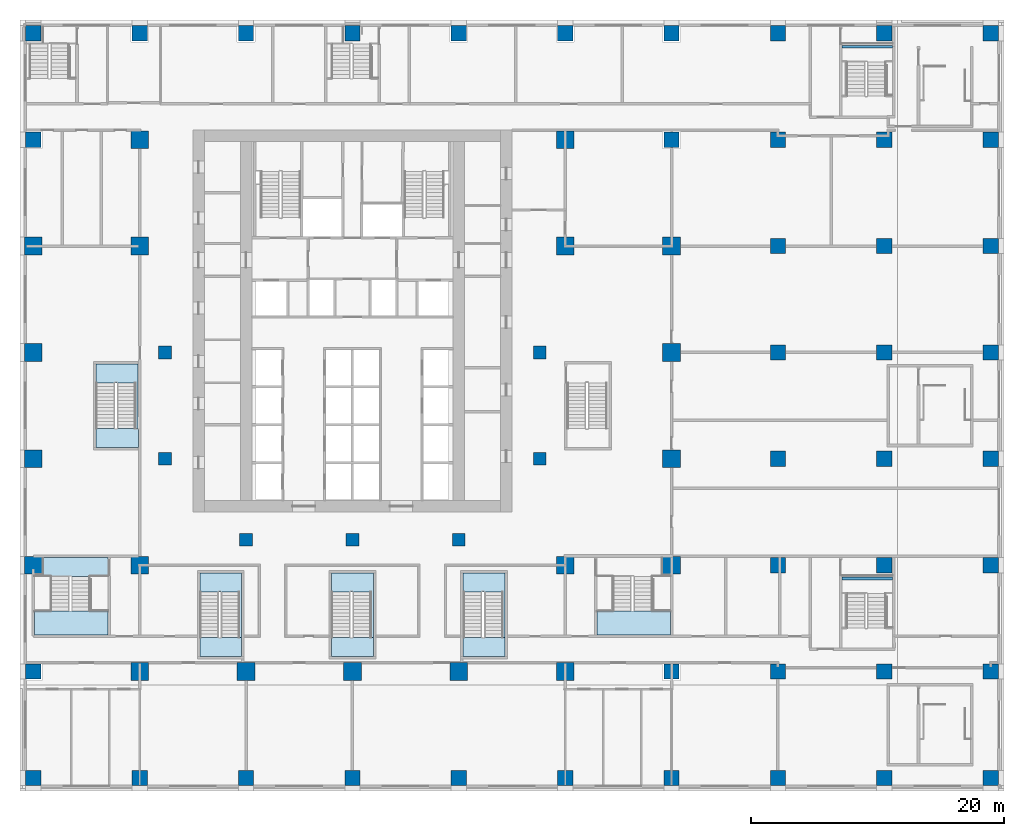
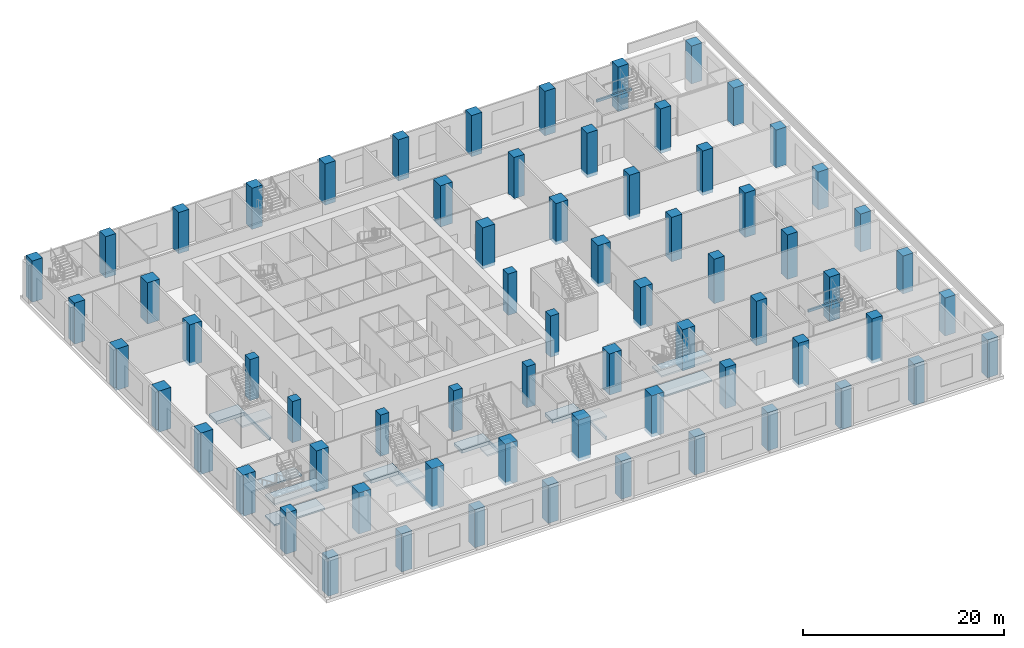
# One storey, part 1 of 23: 68 columns, 13 slabs, 2 beams, 6 elements without a shape of their own.
"""IFC4 building model written with IfcOpenShell, lengths in metres."""

import ifcopenshell
import ifcopenshell.guid

model = None  # the IFC model being written
_history = None  # IfcOwnerHistory: only IFC2X3 demands one
_inside = {}  # id of a spatial element -> (the spatial element, [elements in it])
_under = {}  # id of a project, library or spatial element -> (it, [spatial elements below it])
_declared = {}  # id of a project -> (the project, [libraries it declares])
_typed = {}  # id of a type object -> (the type object, [elements of that type])
_made_of = {}  # id of a material, layer set ... -> (it, [elements and type objects made of it])


def new_model(schema):
    """Start an empty IFC model of exactly this schema.

    Asked for "IFC4X3", IfcOpenShell would pick the latest addendum, in which some entities
    have other attributes; the version numbers below select the first issue.
    IFC2X3 requires an IfcOwnerHistory on every rooted entity: one is made here for all.
    """
    global model, _history
    if schema == "IFC4X3":
        model = ifcopenshell.file(schema_version=(4, 3, 0, 0))
    else:
        model = ifcopenshell.file(schema=schema)
    _inside.clear()
    _under.clear()
    _declared.clear()
    _typed.clear()
    _made_of.clear()
    _history = None
    if model.schema == "IFC2X3":
        org = make("IfcOrganization", Name="unknown")
        user = make(
            "IfcPersonAndOrganization",
            ThePerson=make("IfcPerson", FamilyName="unknown"),
            TheOrganization=org,
        )
        app = make(
            "IfcApplication",
            ApplicationDeveloper=org,
            Version="unknown",
            ApplicationFullName="unknown",
            ApplicationIdentifier="unknown",
        )
        _history = make(
            "IfcOwnerHistory",
            OwningUser=user,
            OwningApplication=app,
            ChangeAction="ADDED",
            CreationDate=0,
        )
    return model


def make(cls, **values):
    """One entity of the class cls with the attributes given. An attribute that is None is left unset."""
    return model.create_entity(
        cls, **{name: value for name, value in values.items() if value is not None}
    )


def rooted(cls, **values):
    """An entity with a GlobalId (a new one), such as an element, a storey or a relation."""
    return make(cls, GlobalId=ifcopenshell.guid.new(), OwnerHistory=_history, **values)


def si_unit(unit_type, name, prefix=None):
    """IfcSIUnit, for example si_unit("LENGTHUNIT", "METRE", prefix="MILLI")."""
    return make("IfcSIUnit", UnitType=unit_type, Prefix=prefix, Name=name)


def assignment(units):
    """IfcUnitAssignment: the units of a project."""
    return None if units is None else make("IfcUnitAssignment", Units=units)


def point(xyz):
    """IfcCartesianPoint."""
    return None if xyz is None else make("IfcCartesianPoint", Coordinates=xyz)


def direction(xyz):
    """IfcDirection."""
    return None if xyz is None else make("IfcDirection", DirectionRatios=xyz)


def frame(location, z_axis=None, x_axis=None):
    """IfcAxis2Placement3D, a coordinate frame: its origin and axes. An axis left out is left unset."""
    return make(
        "IfcAxis2Placement3D",
        Location=point(location),
        Axis=direction(z_axis),
        RefDirection=direction(x_axis),
    )


def frame_2d(location, x_axis=None):
    """IfcAxis2Placement2D, a coordinate frame in the plane: its origin and x axis."""
    return make(
        "IfcAxis2Placement2D", Location=point(location), RefDirection=direction(x_axis)
    )


def origin():
    """The frame at (0, 0, 0) with its axes left unset."""
    return frame((0.0, 0.0, 0.0))


def origin_2d():
    """The frame at (0, 0) in the plane with its x axis left unset."""
    return frame_2d((0.0, 0.0))


def place(relative_to, where):
    """IfcLocalPlacement: puts the frame where relative to a parent placement (None: the world)."""
    return make(
        "IfcLocalPlacement", PlacementRelTo=relative_to, RelativePlacement=where
    )


def context(
    kind, dimensions, precision=None, world=None, true_north=None, identifier=None
):
    """IfcGeometricRepresentationContext, for example the 3D "Model" context."""
    return make(
        "IfcGeometricRepresentationContext",
        ContextIdentifier=identifier,
        ContextType=kind,
        CoordinateSpaceDimension=dimensions,
        Precision=precision,
        WorldCoordinateSystem=world,
        TrueNorth=true_north,
    )


def subcontext(parent, identifier, kind, view, scale=None):
    """IfcGeometricRepresentationSubContext, for example "Body" below "Model"."""
    return make(
        "IfcGeometricRepresentationSubContext",
        ContextIdentifier=identifier,
        ContextType=kind,
        ParentContext=parent,
        TargetScale=scale,
        TargetView=view,
    )


def project(units=None, contexts=None):
    """IfcProject with its units and contexts."""
    return rooted(
        "IfcProject",
        Name="project",
        RepresentationContexts=contexts,
        UnitsInContext=assignment(units),
    )


def spatial(cls, under=None, at=None, **own):
    """A site, building, storey or space (cls), placed at a placement, below another one or the project."""
    s = rooted(cls, ObjectPlacement=at, **own)
    if under is not None:
        _under.setdefault(under.id(), (under, []))[1].append(s)
    return s


def polyline(points):
    """IfcPolyline through the points."""
    return make("IfcPolyline", Points=[point(p) for p in points])


def profile(cls, at=None, kind="AREA", **sizes):
    """A parametric profile (cls). Its sizes go by their IFC names, for example OverallWidth=200.0."""
    return make(cls, ProfileType=kind, Position=at, **sizes)


def rectangle(**sizes):
    """IfcRectangleProfileDef."""
    return profile("IfcRectangleProfileDef", **sizes)


def outline(outer, holes=None, kind="AREA"):
    """IfcArbitraryClosedProfileDef: a profile drawn as a closed curve; with holes, ...WithVoids."""
    if holes is None:
        return make("IfcArbitraryClosedProfileDef", ProfileType=kind, OuterCurve=outer)
    return make(
        "IfcArbitraryProfileDefWithVoids",
        ProfileType=kind,
        OuterCurve=outer,
        InnerCurves=holes,
    )


def extrude(swept, where, along, depth):
    """IfcExtrudedAreaSolid: the profile swept, set in the frame where, extruded along a direction by depth."""
    return make(
        "IfcExtrudedAreaSolid",
        SweptArea=swept,
        Position=where,
        ExtrudedDirection=direction(along),
        Depth=depth,
    )


def shape(context_of_items, identifier, shape_type, items):
    """IfcShapeRepresentation: the items that make up one representation, for example the "Body"."""
    return make(
        "IfcShapeRepresentation",
        ContextOfItems=context_of_items,
        RepresentationIdentifier=identifier,
        RepresentationType=shape_type,
        Items=items,
    )


def material(Name=None, Category=None):
    """IfcMaterial."""
    return make("IfcMaterial", Name=Name, Category=Category)


def layer(
    of_material, thickness, ventilated=None, Name=None, Category=None, Priority=None
):
    """IfcMaterialLayer: one layer of a wall or slab, of a material (None: an air gap)."""
    return make(
        "IfcMaterialLayer",
        Material=of_material,
        LayerThickness=thickness,
        IsVentilated=ventilated,
        Name=Name,
        Category=Category,
        Priority=Priority,
    )


def layer_set(layers, Name=None):
    """IfcMaterialLayerSet."""
    return make("IfcMaterialLayerSet", MaterialLayers=layers, LayerSetName=Name)


def material_profile(
    of_material, cross_section, Name=None, Category=None, Priority=None
):
    """IfcMaterialProfile: a cross section and its material."""
    return make(
        "IfcMaterialProfile",
        Name=Name,
        Material=of_material,
        Profile=cross_section,
        Priority=Priority,
        Category=Category,
    )


def profile_set(profiles, Name=None, composite=None):
    """IfcMaterialProfileSet."""
    return make(
        "IfcMaterialProfileSet",
        Name=Name,
        MaterialProfiles=profiles,
        CompositeProfile=composite,
    )


def made_of(thing, what):
    """Note that an element or type object is made of a material, layer set ...; save() writes the relation."""
    if what is not None:
        _made_of.setdefault(what.id(), (what, []))[1].append(thing)
    return thing


def type_object(cls, material=None, **own):
    """A type object (cls), such as IfcWallType, which elements share."""
    return made_of(rooted(cls, **own), material)


def element(
    cls,
    number,
    at=None,
    inside=None,
    cuts=None,
    type_object=None,
    material=None,
    context=None,
    identifier="Body",
    shape_type=None,
    held_by="IfcProductDefinitionShape",
    body=None,
    shapes=None,
    **own,
):
    """One element of the class cls, such as IfcWall. Its Tag is "e" and its number.

    at: its placement. inside: the storey or other place that contains it. cuts: it is an
    opening in that element (IfcRelVoidsElement). A single representation is given by context,
    identifier, shape_type and body (its items); several are given by shapes. held_by: the class
    of the entity that holds the representations. save() writes the other relations.
    """
    e = rooted(cls, Tag="e%d" % number, ObjectPlacement=at, **own)
    if body is not None:
        shapes = [shape(context, identifier, shape_type, body)]
    if shapes is not None:
        e.Representation = make(held_by, Representations=shapes)
    if inside is not None:
        _inside.setdefault(inside.id(), (inside, []))[1].append(e)
    if cuts is not None:
        rooted(
            "IfcRelVoidsElement", RelatingBuildingElement=cuts, RelatedOpeningElement=e
        )
    if type_object is not None:
        _typed.setdefault(type_object.id(), (type_object, []))[1].append(e)
    return made_of(e, material)


def aggregate(whole, parts):
    """IfcRelAggregates: a whole, such as a stair, and the parts it consists of."""
    return rooted("IfcRelAggregates", RelatingObject=whole, RelatedObjects=parts)


def save(model, path):
    """Write the relations noted so far, then the file.

    IfcRelAggregates (storeys below a building ...), IfcRelContainedInSpatialStructure (elements
    in a storey), IfcRelDefinesByType, IfcRelAssociatesMaterial and IfcRelDeclares: one each for
    every whole, place, type object, material and project.
    """
    for whole, parts in _under.values():
        aggregate(whole, parts)
    for where, things in _inside.values():
        rooted(
            "IfcRelContainedInSpatialStructure",
            RelatedElements=things,
            RelatingStructure=where,
        )
    for kind, things in _typed.values():
        rooted("IfcRelDefinesByType", RelatedObjects=things, RelatingType=kind)
    for what, things in _made_of.values():
        rooted("IfcRelAssociatesMaterial", RelatedObjects=things, RelatingMaterial=what)
    for by, libraries in _declared.values():
        rooted("IfcRelDeclares", RelatingContext=by, RelatedDefinitions=libraries)
    model.write(path)


model = new_model("IFC4")

# Units and contexts
model_context = context("Model", 3, precision=1e-05, world=origin(), true_north=direction((0.0, 1.0)))
body_context = subcontext(model_context, "Body", "Model", "MODEL_VIEW")
ifc_project = project(units=[si_unit("LENGTHUNIT", "METRE"), si_unit("AREAUNIT", "SQUARE_METRE"), si_unit("VOLUMEUNIT", "CUBIC_METRE"), si_unit("PLANEANGLEUNIT", "RADIAN"), si_unit("MASSUNIT", "GRAM", prefix="KILO")], contexts=[model_context])

# Site, building, storey
site_placement = place(None, origin())
site = spatial("IfcSite", under=ifc_project, at=site_placement, CompositionType="ELEMENT")
building_placement = place(site_placement, origin())
building = spatial("IfcBuilding", under=site, at=building_placement, Name="Vermilion Ogive Tower", CompositionType="ELEMENT")
storey_placement = place(building_placement, frame((0.0, 0.0, 20.0)))
storey = spatial("IfcBuildingStorey", under=building, at=storey_placement, Name="L03", CompositionType="ELEMENT", Elevation=20.0)

# Columns
ifc_material_1 = material(Name="Concrete B80", Category="concrete")
ifc_material_profile_1 = material_profile(ifc_material_1, rectangle(XDim=1.39990234375, YDim=1.39990234375, at=origin_2d()), Name="1400 x 1400")
ifc_profile_set_1 = profile_set([ifc_material_profile_1], Name="Concrete B80")
column_type_1 = type_object("IfcColumnType", Name="Perimeter column 1400 x 1400 B80", PredefinedType="COLUMN", material=ifc_profile_set_1)
for number, where, z_axis, x_axis, name in (
    (1, (-16.800048828125, -21.0, -0.39990234375), (0.0, 0.0, 1.0), (1.0, 0.0, 0.0), "COL-L03-P-0168-210"),
    (2, (-8.39990234375, -21.0, -0.39990234375), (0.0, 0.0, 1.0), (1.0, 0.0, 0.0), "COL-L03-P-0084-210"),
    (3, (0.0, -21.0, -0.39990234375), (0.0, 0.0, 1.0), (1.0, 0.0, 0.0), "COL-L03-P+0000-210"),
    (4, (8.39990234375, -21.0, -0.39990234375), (0.0, 0.0, 1.0), (1.0, 0.0, 0.0), "COL-L03-P+0084-210"),
    (5, (16.800048828125, -21.0, -0.39990234375), (0.0, 0.0, 1.0), (1.0, 0.0, 0.0), "COL-L03-P+0168-210"),
    (6, (-25.199951171875, -12.60009765625, -0.39990234375), (0.0, 0.0, 1.0), (1.0, 0.0, 0.0), "COL-L03-P-0252-126"),
    (7, (-16.800048828125, -12.60009765625, -0.39990234375), (0.0, 0.0, 1.0), (1.0, 0.0, 0.0), "COL-L03-P-0168-126"),
    (8, (16.800048828125, -12.60009765625, -0.39990234375), (0.0, 0.0, 1.0), (1.0, 0.0, 0.0), "COL-L03-P+0168-126"),
    (9, (25.199951171875, -12.60009765625, -0.39990234375), (0.0, 0.0, 1.0), (1.0, 0.0, 0.0), "COL-L03-P+0252-126"),
    (10, (-25.199951171875, -4.199951171875, -0.39990234375), (0.0, 0.0, 1.0), (1.0, 0.0, 0.0), "COL-L03-P-0252-042"),
    (11, (25.199951171875, -4.199951171875, -0.39990234375), (0.0, 0.0, 1.0), (1.0, 0.0, 0.0), "COL-L03-P+0252-042"),
    (12, (-25.199951171875, 4.199951171875, -0.39990234375), (0.0, 0.0, 1.0), (1.0, 0.0, 0.0), "COL-L03-P-0252+042"),
    (13, (25.199951171875, 4.199951171875, -0.39990234375), (0.0, 0.0, 1.0), (1.0, 0.0, 0.0), "COL-L03-P+0252+042"),
    (14, (-25.199951171875, 12.60009765625, -0.39990234375), (0.0, 0.0, 1.0), (1.0, 0.0, 0.0), "COL-L03-P-0252+126"),
    (15, (-16.800048828125, 12.60009765625, -0.39990234375), (0.0, 0.0, 1.0), (1.0, 0.0, 0.0), "COL-L03-P-0168+126"),
    (16, (16.800048828125, 12.60009765625, -0.39990234375), (0.0, 0.0, 1.0), (1.0, 0.0, 0.0), "COL-L03-P+0168+126"),
    (17, (25.199951171875, 12.60009765625, -0.39990234375), (0.0, 0.0, 1.0), (1.0, 0.0, 0.0), "COL-L03-P+0252+126"),
    (18, (-16.800048828125, 21.0, -0.39990234375), (0.0, 0.0, 1.0), (1.0, 0.0, 0.0), "COL-L03-P-0168+210"),
    (19, (16.800048828125, 21.0, -0.39990234375), (0.0, 0.0, 1.0), (1.0, 0.0, 0.0), "COL-L03-P+0168+210"),
):
    element("IfcColumn", number, at=place(storey_placement, frame(where, z_axis=z_axis, x_axis=x_axis)), inside=storey, type_object=column_type_1, Name=name, PredefinedType="COLUMN", context=body_context, shape_type="SweptSolid", body=[
        extrude(rectangle(XDim=1.39990234375, YDim=1.39990234375, at=origin_2d()), origin(), (0.0, 0.0, 1.0), 5.0),
    ])
ifc_material_2 = material(Name="Concrete B60", Category="concrete")
ifc_material_profile_2 = material_profile(ifc_material_2, rectangle(XDim=1.199951171875, YDim=1.199951171875, at=origin_2d()), Name="RC 1200x1200")
ifc_profile_set_2 = profile_set([ifc_material_profile_2], Name="Concrete B60")
column_type_2 = type_object("IfcColumnType", Name="Podium column RC 1200", PredefinedType="COLUMN", material=ifc_profile_set_2)
for number, where, z_axis, x_axis, name in (
    (20, (-25.199951171875, -29.39990234375, 0.0), (0.0, 0.0, 1.0), (1.0, 0.0, 0.0), "Column 1.2 L03"),
    (21, (-16.800048828125, -29.39990234375, 0.0), (0.0, 0.0, 1.0), (1.0, 0.0, 0.0), "Column 1.2 L03"),
    (22, (-8.39990234375, -29.39990234375, 0.0), (0.0, 0.0, 1.0), (1.0, 0.0, 0.0), "Column 1.2 L03"),
    (23, (0.0, -29.39990234375, 0.0), (0.0, 0.0, 1.0), (1.0, 0.0, 0.0), "Column 1.2 L03"),
    (24, (8.39990234375, -29.39990234375, 0.0), (0.0, 0.0, 1.0), (1.0, 0.0, 0.0), "Column 1.2 L03"),
    (25, (16.800048828125, -29.39990234375, 0.0), (0.0, 0.0, 1.0), (1.0, 0.0, 0.0), "Column 1.2 L03"),
    (26, (25.199951171875, -29.39990234375, 0.0), (0.0, 0.0, 1.0), (1.0, 0.0, 0.0), "Column 1.2 L03"),
):
    element("IfcColumn", number, at=place(storey_placement, frame(where, z_axis=z_axis, x_axis=x_axis)), inside=storey, type_object=column_type_2, Name=name, PredefinedType="COLUMN", context=body_context, shape_type="SweptSolid", body=[
        extrude(rectangle(XDim=1.199951171875, YDim=1.199951171875, at=origin_2d()), origin(), (0.0, 0.0, 1.0), 4.60009765625),
    ])
for number, where, z_axis, x_axis, name in (
    (27, (33.60009765625, -29.39990234375, -0.39990234375), (0.0, 0.0, 1.0), (1.0, 0.0, 0.0), "Column 1.2 L03"),
    (28, (42.0, -29.39990234375, -0.39990234375), (0.0, 0.0, 1.0), (1.0, 0.0, 0.0), "Column 1.2 L03"),
):
    element("IfcColumn", number, at=place(storey_placement, frame(where, z_axis=z_axis, x_axis=x_axis)), inside=storey, type_object=column_type_2, Name=name, PredefinedType="COLUMN", context=body_context, shape_type="SweptSolid", body=[
        extrude(rectangle(XDim=1.199951171875, YDim=1.199951171875, at=origin_2d()), origin(), (0.0, 0.0, 1.0), 5.0),
    ])
column_1_placement = place(storey_placement, frame((50.39990234375, -29.39990234375, 0.0), z_axis=(0.0, 0.0, 1.0), x_axis=(1.0, 0.0, 0.0)))
element("IfcColumn", 29, at=column_1_placement, inside=storey, type_object=column_type_2, Name="Column 1.2 L03", PredefinedType="COLUMN", context=body_context, shape_type="SweptSolid", body=[
    extrude(rectangle(XDim=1.199951171875, YDim=1.199951171875, at=origin_2d()), origin(), (0.0, 0.0, 1.0), 4.60009765625),
])
for number, where, z_axis, x_axis, name in (
    (30, (-25.199951171875, -21.0, 0.0), (0.0, 0.0, 1.0), (1.0, 0.0, 0.0), "Column 1.2 L03"),
    (31, (25.199951171875, -21.0, 0.0), (0.0, 0.0, 1.0), (1.0, 0.0, 0.0), "Column 1.2 L03"),
):
    element("IfcColumn", number, at=place(storey_placement, frame(where, z_axis=z_axis, x_axis=x_axis)), inside=storey, type_object=column_type_2, Name=name, PredefinedType="COLUMN", context=body_context, shape_type="SweptSolid", body=[
        extrude(rectangle(XDim=1.199951171875, YDim=1.199951171875, at=origin_2d()), origin(), (0.0, 0.0, 1.0), 5.0),
    ])
for number, where, z_axis, x_axis, name in (
    (32, (33.60009765625, -21.0, -0.39990234375), (0.0, 0.0, 1.0), (1.0, 0.0, 0.0), "Column 1.2 L03"),
    (33, (42.0, -21.0, -0.39990234375), (0.0, 0.0, 1.0), (1.0, 0.0, 0.0), "Column 1.2 L03"),
):
    element("IfcColumn", number, at=place(storey_placement, frame(where, z_axis=z_axis, x_axis=x_axis)), inside=storey, type_object=column_type_2, Name=name, PredefinedType="COLUMN", context=body_context, shape_type="SweptSolid", body=[
        extrude(rectangle(XDim=1.199951171875, YDim=1.199951171875, at=origin_2d()), origin(), (0.0, 0.0, 1.0), 5.39990234375),
    ])
column_2_placement = place(storey_placement, frame((50.39990234375, -21.0, 0.0), z_axis=(0.0, 0.0, 1.0), x_axis=(1.0, 0.0, 0.0)))
element("IfcColumn", 34, at=column_2_placement, inside=storey, type_object=column_type_2, Name="Column 1.2 L03", PredefinedType="COLUMN", context=body_context, shape_type="SweptSolid", body=[
    extrude(rectangle(XDim=1.199951171875, YDim=1.199951171875, at=origin_2d()), origin(), (0.0, 0.0, 1.0), 4.60009765625),
])
for number, where, z_axis, x_axis, name in (
    (35, (33.60009765625, -12.60009765625, -0.39990234375), (0.0, 0.0, 1.0), (1.0, 0.0, 0.0), "Column 1.2 L03"),
    (36, (42.0, -12.60009765625, -0.39990234375), (0.0, 0.0, 1.0), (1.0, 0.0, 0.0), "Column 1.2 L03"),
):
    element("IfcColumn", number, at=place(storey_placement, frame(where, z_axis=z_axis, x_axis=x_axis)), inside=storey, type_object=column_type_2, Name=name, PredefinedType="COLUMN", context=body_context, shape_type="SweptSolid", body=[
        extrude(rectangle(XDim=1.199951171875, YDim=1.199951171875, at=origin_2d()), origin(), (0.0, 0.0, 1.0), 5.39990234375),
    ])
column_3_placement = place(storey_placement, frame((50.39990234375, -12.60009765625, 0.0), z_axis=(0.0, 0.0, 1.0), x_axis=(1.0, 0.0, 0.0)))
element("IfcColumn", 37, at=column_3_placement, inside=storey, type_object=column_type_2, Name="Column 1.2 L03", PredefinedType="COLUMN", context=body_context, shape_type="SweptSolid", body=[
    extrude(rectangle(XDim=1.199951171875, YDim=1.199951171875, at=origin_2d()), origin(), (0.0, 0.0, 1.0), 4.60009765625),
])
for number, where, z_axis, x_axis, name in (
    (38, (33.60009765625, -4.199951171875, -0.39990234375), (0.0, 0.0, 1.0), (1.0, 0.0, 0.0), "Column 1.2 L03"),
    (39, (42.0, -4.199951171875, -0.39990234375), (0.0, 0.0, 1.0), (1.0, 0.0, 0.0), "Column 1.2 L03"),
):
    element("IfcColumn", number, at=place(storey_placement, frame(where, z_axis=z_axis, x_axis=x_axis)), inside=storey, type_object=column_type_2, Name=name, PredefinedType="COLUMN", context=body_context, shape_type="SweptSolid", body=[
        extrude(rectangle(XDim=1.199951171875, YDim=1.199951171875, at=origin_2d()), origin(), (0.0, 0.0, 1.0), 5.39990234375),
    ])
column_4_placement = place(storey_placement, frame((50.39990234375, -4.199951171875, 0.0), z_axis=(0.0, 0.0, 1.0), x_axis=(1.0, 0.0, 0.0)))
element("IfcColumn", 40, at=column_4_placement, inside=storey, type_object=column_type_2, Name="Column 1.2 L03", PredefinedType="COLUMN", context=body_context, shape_type="SweptSolid", body=[
    extrude(rectangle(XDim=1.199951171875, YDim=1.199951171875, at=origin_2d()), origin(), (0.0, 0.0, 1.0), 4.60009765625),
])
for number, where, z_axis, x_axis, name in (
    (41, (33.60009765625, 4.199951171875, -0.39990234375), (0.0, 0.0, 1.0), (1.0, 0.0, 0.0), "Column 1.2 L03"),
    (42, (42.0, 4.199951171875, -0.39990234375), (0.0, 0.0, 1.0), (1.0, 0.0, 0.0), "Column 1.2 L03"),
):
    element("IfcColumn", number, at=place(storey_placement, frame(where, z_axis=z_axis, x_axis=x_axis)), inside=storey, type_object=column_type_2, Name=name, PredefinedType="COLUMN", context=body_context, shape_type="SweptSolid", body=[
        extrude(rectangle(XDim=1.199951171875, YDim=1.199951171875, at=origin_2d()), origin(), (0.0, 0.0, 1.0), 5.39990234375),
    ])
column_5_placement = place(storey_placement, frame((50.39990234375, 4.199951171875, 0.0), z_axis=(0.0, 0.0, 1.0), x_axis=(1.0, 0.0, 0.0)))
element("IfcColumn", 43, at=column_5_placement, inside=storey, type_object=column_type_2, Name="Column 1.2 L03", PredefinedType="COLUMN", context=body_context, shape_type="SweptSolid", body=[
    extrude(rectangle(XDim=1.199951171875, YDim=1.199951171875, at=origin_2d()), origin(), (0.0, 0.0, 1.0), 4.60009765625),
])
for number, where, z_axis, x_axis, name in (
    (44, (33.60009765625, 12.60009765625, -0.39990234375), (0.0, 0.0, 1.0), (1.0, 0.0, 0.0), "Column 1.2 L03"),
    (45, (42.0, 12.60009765625, -0.39990234375), (0.0, 0.0, 1.0), (1.0, 0.0, 0.0), "Column 1.2 L03"),
):
    element("IfcColumn", number, at=place(storey_placement, frame(where, z_axis=z_axis, x_axis=x_axis)), inside=storey, type_object=column_type_2, Name=name, PredefinedType="COLUMN", context=body_context, shape_type="SweptSolid", body=[
        extrude(rectangle(XDim=1.199951171875, YDim=1.199951171875, at=origin_2d()), origin(), (0.0, 0.0, 1.0), 5.39990234375),
    ])
column_6_placement = place(storey_placement, frame((50.39990234375, 12.60009765625, 0.0), z_axis=(0.0, 0.0, 1.0), x_axis=(1.0, 0.0, 0.0)))
element("IfcColumn", 46, at=column_6_placement, inside=storey, type_object=column_type_2, Name="Column 1.2 L03", PredefinedType="COLUMN", context=body_context, shape_type="SweptSolid", body=[
    extrude(rectangle(XDim=1.199951171875, YDim=1.199951171875, at=origin_2d()), origin(), (0.0, 0.0, 1.0), 4.60009765625),
])
for number, where, z_axis, x_axis, name in (
    (47, (-25.199951171875, 21.0, 0.0), (0.0, 0.0, 1.0), (1.0, 0.0, 0.0), "Column 1.2 L03"),
    (48, (25.199951171875, 21.0, 0.0), (0.0, 0.0, 1.0), (1.0, 0.0, 0.0), "Column 1.2 L03"),
):
    element("IfcColumn", number, at=place(storey_placement, frame(where, z_axis=z_axis, x_axis=x_axis)), inside=storey, type_object=column_type_2, Name=name, PredefinedType="COLUMN", context=body_context, shape_type="SweptSolid", body=[
        extrude(rectangle(XDim=1.199951171875, YDim=1.199951171875, at=origin_2d()), origin(), (0.0, 0.0, 1.0), 5.0),
    ])
for number, where, z_axis, x_axis, name in (
    (49, (33.60009765625, 21.0, -0.39990234375), (0.0, 0.0, 1.0), (1.0, 0.0, 0.0), "Column 1.2 L03"),
    (50, (42.0, 21.0, -0.39990234375), (0.0, 0.0, 1.0), (1.0, 0.0, 0.0), "Column 1.2 L03"),
):
    element("IfcColumn", number, at=place(storey_placement, frame(where, z_axis=z_axis, x_axis=x_axis)), inside=storey, type_object=column_type_2, Name=name, PredefinedType="COLUMN", context=body_context, shape_type="SweptSolid", body=[
        extrude(rectangle(XDim=1.199951171875, YDim=1.199951171875, at=origin_2d()), origin(), (0.0, 0.0, 1.0), 5.39990234375),
    ])
column_7_placement = place(storey_placement, frame((50.39990234375, 21.0, 0.0), z_axis=(0.0, 0.0, 1.0), x_axis=(1.0, 0.0, 0.0)))
element("IfcColumn", 51, at=column_7_placement, inside=storey, type_object=column_type_2, Name="Column 1.2 L03", PredefinedType="COLUMN", context=body_context, shape_type="SweptSolid", body=[
    extrude(rectangle(XDim=1.199951171875, YDim=1.199951171875, at=origin_2d()), origin(), (0.0, 0.0, 1.0), 4.60009765625),
])
for number, where, z_axis, x_axis, name in (
    (52, (-25.199951171875, 29.39990234375, 0.0), (0.0, 0.0, 1.0), (1.0, 0.0, 0.0), "Column 1.2 L03"),
    (53, (-16.800048828125, 29.39990234375, 0.0), (0.0, 0.0, 1.0), (1.0, 0.0, 0.0), "Column 1.2 L03"),
    (54, (-8.39990234375, 29.39990234375, 0.0), (0.0, 0.0, 1.0), (1.0, 0.0, 0.0), "Column 1.2 L03"),
    (55, (0.0, 29.39990234375, 0.0), (0.0, 0.0, 1.0), (1.0, 0.0, 0.0), "Column 1.2 L03"),
    (56, (8.39990234375, 29.39990234375, 0.0), (0.0, 0.0, 1.0), (1.0, 0.0, 0.0), "Column 1.2 L03"),
    (57, (16.800048828125, 29.39990234375, 0.0), (0.0, 0.0, 1.0), (1.0, 0.0, 0.0), "Column 1.2 L03"),
    (58, (25.199951171875, 29.39990234375, 0.0), (0.0, 0.0, 1.0), (1.0, 0.0, 0.0), "Column 1.2 L03"),
):
    element("IfcColumn", number, at=place(storey_placement, frame(where, z_axis=z_axis, x_axis=x_axis)), inside=storey, type_object=column_type_2, Name=name, PredefinedType="COLUMN", context=body_context, shape_type="SweptSolid", body=[
        extrude(rectangle(XDim=1.199951171875, YDim=1.199951171875, at=origin_2d()), origin(), (0.0, 0.0, 1.0), 5.0),
    ])
for number, where, z_axis, x_axis, name in (
    (59, (33.60009765625, 29.39990234375, -0.39990234375), (0.0, 0.0, 1.0), (1.0, 0.0, 0.0), "Column 1.2 L03"),
    (60, (42.0, 29.39990234375, -0.39990234375), (0.0, 0.0, 1.0), (1.0, 0.0, 0.0), "Column 1.2 L03"),
):
    element("IfcColumn", number, at=place(storey_placement, frame(where, z_axis=z_axis, x_axis=x_axis)), inside=storey, type_object=column_type_2, Name=name, PredefinedType="COLUMN", context=body_context, shape_type="SweptSolid", body=[
        extrude(rectangle(XDim=1.199951171875, YDim=1.199951171875, at=origin_2d()), origin(), (0.0, 0.0, 1.0), 5.39990234375),
    ])
column_8_placement = place(storey_placement, frame((50.39990234375, 29.39990234375, 0.0), z_axis=(0.0, 0.0, 1.0), x_axis=(1.0, 0.0, 0.0)))
element("IfcColumn", 61, at=column_8_placement, inside=storey, type_object=column_type_2, Name="Column 1.2 L03", PredefinedType="COLUMN", context=body_context, shape_type="SweptSolid", body=[
    extrude(rectangle(XDim=1.199951171875, YDim=1.199951171875, at=origin_2d()), origin(), (0.0, 0.0, 1.0), 4.60009765625),
])
ifc_material_3 = material(Name="Concrete B80", Category="concrete")
ifc_material_profile_3 = material_profile(ifc_material_3, rectangle(XDim=1.0, YDim=1.0, at=origin_2d()), Name="1000 x 1000")
ifc_profile_set_3 = profile_set([ifc_material_profile_3], Name="Concrete B80")
column_type_3 = type_object("IfcColumnType", Name="Ring column 1000 x 1000 B80", PredefinedType="COLUMN", material=ifc_profile_set_3)
for number, where, z_axis, x_axis, name in (
    (62, (-8.39990234375, -10.60009765625, -0.39990234375), (0.0, 0.0, 1.0), (1.0, 0.0, 0.0), "COL-L03-R-0084-106"),
    (63, (0.0, -10.60009765625, -0.39990234375), (0.0, 0.0, 1.0), (1.0, 0.0, 0.0), "COL-L03-R+0000-106"),
    (64, (8.39990234375, -10.60009765625, -0.39990234375), (0.0, 0.0, 1.0), (1.0, 0.0, 0.0), "COL-L03-R+0084-106"),
    (65, (-14.800048828125, -4.199951171875, -0.39990234375), (0.0, 0.0, 1.0), (1.0, 0.0, 0.0), "COL-L03-R-0148-042"),
    (66, (14.800048828125, -4.199951171875, -0.39990234375), (0.0, 0.0, 1.0), (1.0, 0.0, 0.0), "COL-L03-R+0148-042"),
    (67, (-14.800048828125, 4.199951171875, -0.39990234375), (0.0, 0.0, 1.0), (1.0, 0.0, 0.0), "COL-L03-R-0148+042"),
    (68, (14.800048828125, 4.199951171875, -0.39990234375), (0.0, 0.0, 1.0), (1.0, 0.0, 0.0), "COL-L03-R+0148+042"),
):
    element("IfcColumn", number, at=place(storey_placement, frame(where, z_axis=z_axis, x_axis=x_axis)), inside=storey, type_object=column_type_3, Name=name, PredefinedType="COLUMN", context=body_context, shape_type="SweptSolid", body=[
        extrude(rectangle(XDim=1.0, YDim=1.0, at=origin_2d()), origin(), (0.0, 0.0, 1.0), 5.0),
    ])

# Beams
ifc_material_4 = material(Name="Concrete B45", Category="concrete")
ifc_material_profile_4 = material_profile(ifc_material_4, rectangle(XDim=0.199951171875, YDim=0.300048828125, at=origin_2d()), Name="RC 200x300")
ifc_profile_set_4 = profile_set([ifc_material_profile_4], Name="Concrete B45")
beam_type = type_object("IfcBeamType", Name="Stair landing edge beam LB1 200x300", PredefinedType="BEAM", material=ifc_profile_set_4)
for number, where, z_axis, x_axis, name in (
    (69, (38.650146484375, 28.35009765625, 2.14990234375), (1.0, 0.0, 0.0), (0.0, 1.0, 0.0), "L03 stair landing edge beam"),
    (70, (38.650146484375, -13.64990234375, 2.14990234375), (1.0, 0.0, 0.0), (0.0, 1.0, 0.0), "L03 stair landing edge beam"),
):
    element("IfcBeam", number, at=place(storey_placement, frame(where, z_axis=z_axis, x_axis=x_axis)), inside=storey, type_object=beam_type, Name=name, PredefinedType="BEAM", context=body_context, shape_type="SweptSolid", body=[
        extrude(rectangle(XDim=0.199951171875, YDim=0.300048828125, at=origin_2d()), origin(), (0.0, 0.0, 1.0), 3.999755859375),
    ])

# Slabs
ifc_material_5 = material(Name="Concrete B40", Category="concrete")
ifc_layer_1 = layer(ifc_material_5, 0.39990234375)
ifc_layer_set_1 = layer_set([ifc_layer_1], Name="Core floor slab 400 B40")
slab_type_1 = type_object("IfcSlabType", Name="Core floor slab 400 B40", PredefinedType="FLOOR", material=ifc_layer_set_1)
slab_1_placement = place(storey_placement, frame((0.0, 0.0, -0.39990234375)))
element("IfcSlab", 71, at=slab_1_placement, inside=storey, type_object=slab_type_1, Name="L03-SF-ST3-1", PredefinedType="FLOOR", context=body_context, shape_type="SweptSolid", body=[
    extrude(outline(polyline([(-12.050048828125, -13.199951171875), (-12.050048828125, -14.701904296875), (-10.550048828125, -14.701904296875), (-10.550048828125, -14.699951171875), (-10.39990234375, -14.699951171875), (-10.39990234375, -14.701904296875), (-8.89990234375, -14.701904296875), (-8.89990234375, -19.800048828125), (-8.75, -19.800048828125), (-8.75, -13.199951171875), (-12.050048828125, -13.199951171875)])), origin(), (0.0, 0.0, 1.0), 0.39990234375),
])
slab_2_placement = place(storey_placement, frame((0.0, 0.0, -0.39990234375)))
element("IfcSlab", 72, at=slab_2_placement, inside=storey, type_object=slab_type_1, Name="L03-SF-ST4-1", PredefinedType="FLOOR", context=body_context, shape_type="SweptSolid", body=[
    extrude(outline(polyline([(-1.64990234375, -13.199951171875), (-1.64990234375, -14.701904296875), (-0.14990234375, -14.701904296875), (-0.14990234375, -14.699951171875), (0.0, -14.699951171875), (0.0, -14.701904296875), (1.5, -14.701904296875), (1.5, -19.800048828125), (1.64990234375, -19.800048828125), (1.64990234375, -13.199951171875), (-1.64990234375, -13.199951171875)])), origin(), (0.0, 0.0, 1.0), 0.39990234375),
])
slab_3_placement = place(storey_placement, frame((0.0, 0.0, -0.39990234375)))
element("IfcSlab", 73, at=slab_3_placement, inside=storey, type_object=slab_type_1, Name="L03-SF-ST5-1", PredefinedType="FLOOR", context=body_context, shape_type="SweptSolid", body=[
    extrude(outline(polyline([(8.75, -13.199951171875), (8.75, -14.701904296875), (10.25, -14.701904296875), (10.25, -14.699951171875), (10.39990234375, -14.699951171875), (10.39990234375, -14.701904296875), (11.89990234375, -14.701904296875), (11.89990234375, -19.800048828125), (12.050048828125, -19.800048828125), (12.050048828125, -13.199951171875), (8.75, -13.199951171875)])), origin(), (0.0, 0.0, 1.0), 0.39990234375),
])
slab_4_placement = place(storey_placement, frame((0.0, 0.0, -0.39990234375)))
element("IfcSlab", 74, at=slab_4_placement, inside=storey, type_object=slab_type_1, Name="L03-SF-ST9-1", PredefinedType="FLOOR", context=body_context, shape_type="SweptSolid", body=[
    extrude(outline(polyline([(-20.25, 3.300048828125), (-20.25, 1.798095703125), (-18.75, 1.798095703125), (-18.75, 1.800048828125), (-18.60009765625, 1.800048828125), (-18.60009765625, 1.798095703125), (-17.10009765625, 1.798095703125), (-17.10009765625, -3.300048828125), (-16.949951171875, -3.300048828125), (-16.949951171875, 3.300048828125), (-20.25, 3.300048828125)])), origin(), (0.0, 0.0, 1.0), 0.39990234375),
])

# Stair, slab
ifc_material_6 = material(Name="Concrete B40", Category="concrete")
stair_type = type_object("IfcStairType", Name="Exit stair 1500", PredefinedType="HALF_TURN_STAIR", material=ifc_material_6)
stair_1_placement = place(storey_placement, origin())
stair_1 = element("IfcStair", 75, at=stair_1_placement, inside=storey, type_object=stair_type, Name="L03 Exit Stair ST3", PredefinedType="HALF_TURN_STAIR")
ifc_material_7 = material(Name="Concrete B40", Category="concrete")
ifc_layer_2 = layer(ifc_material_7, 0.199951171875)
ifc_layer_set_2 = layer_set([ifc_layer_2], Name="Stair landing 200")
slab_type_2 = type_object("IfcSlabType", Name="Stair landing 200", PredefinedType="LANDING", material=ifc_layer_set_2)
slab_5_placement = place(storey_placement, frame((0.0, 0.0, 2.300048828125)))
slab_5 = element("IfcSlab", 76, at=slab_5_placement, type_object=slab_type_2, Name="ST3 landing 1", PredefinedType="LANDING", context=body_context, shape_type="SweptSolid", body=[
    extrude(outline(polyline([(-8.75, -18.300048828125), (-8.89990234375, -18.300048828125), (-8.89990234375, -18.298095703125), (-10.39990234375, -18.298095703125), (-10.39990234375, -18.300048828125), (-10.550048828125, -18.300048828125), (-10.550048828125, -18.298095703125), (-12.050048828125, -18.298095703125), (-12.050048828125, -19.800048828125), (-8.75, -19.800048828125), (-8.75, -18.300048828125)])), origin(), (0.0, 0.0, 1.0), 0.199951171875),
])
aggregate(stair_1, [slab_5])

stair_2_placement = place(storey_placement, origin())
stair_2 = element("IfcStair", 77, at=stair_2_placement, inside=storey, type_object=stair_type, Name="L03 Exit Stair ST4", PredefinedType="HALF_TURN_STAIR")
slab_6_placement = place(storey_placement, frame((0.0, 0.0, 2.300048828125)))
slab_6 = element("IfcSlab", 78, at=slab_6_placement, type_object=slab_type_2, Name="ST4 landing 1", PredefinedType="LANDING", context=body_context, shape_type="SweptSolid", body=[
    extrude(outline(polyline([(1.64990234375, -18.300048828125), (1.5, -18.300048828125), (1.5, -18.298095703125), (0.0, -18.298095703125), (0.0, -18.300048828125), (-0.14990234375, -18.300048828125), (-0.14990234375, -18.298095703125), (-1.64990234375, -18.298095703125), (-1.64990234375, -19.800048828125), (1.64990234375, -19.800048828125), (1.64990234375, -18.300048828125)])), origin(), (0.0, 0.0, 1.0), 0.199951171875),
])
aggregate(stair_2, [slab_6])

stair_3_placement = place(storey_placement, origin())
stair_3 = element("IfcStair", 79, at=stair_3_placement, inside=storey, type_object=stair_type, Name="L03 Exit Stair ST5", PredefinedType="HALF_TURN_STAIR")
slab_7_placement = place(storey_placement, frame((0.0, 0.0, 2.300048828125)))
slab_7 = element("IfcSlab", 80, at=slab_7_placement, type_object=slab_type_2, Name="ST5 landing 1", PredefinedType="LANDING", context=body_context, shape_type="SweptSolid", body=[
    extrude(outline(polyline([(12.050048828125, -18.300048828125), (11.89990234375, -18.300048828125), (11.89990234375, -18.298095703125), (10.39990234375, -18.298095703125), (10.39990234375, -18.300048828125), (10.25, -18.300048828125), (10.25, -18.298095703125), (8.75, -18.298095703125), (8.75, -19.800048828125), (12.050048828125, -19.800048828125), (12.050048828125, -18.300048828125)])), origin(), (0.0, 0.0, 1.0), 0.199951171875),
])
aggregate(stair_3, [slab_7])

stair_4_placement = place(storey_placement, origin())
stair_4 = element("IfcStair", 81, at=stair_4_placement, inside=storey, type_object=stair_type, Name="L03 Exit Stair ST9", PredefinedType="HALF_TURN_STAIR")
slab_8_placement = place(storey_placement, frame((0.0, 0.0, 2.300048828125)))
slab_8 = element("IfcSlab", 82, at=slab_8_placement, type_object=slab_type_2, Name="ST9 landing 1", PredefinedType="LANDING", context=body_context, shape_type="SweptSolid", body=[
    extrude(outline(polyline([(-16.875, -1.800048828125), (-17.10009765625, -1.800048828125), (-17.10009765625, -1.798095703125), (-18.60009765625, -1.798095703125), (-18.60009765625, -1.800048828125), (-18.75, -1.800048828125), (-18.75, -1.798095703125), (-20.25, -1.798095703125), (-20.25, -3.300048828125), (-16.875, -3.300048828125), (-16.875, -1.800048828125)])), origin(), (0.0, 0.0, 1.0), 0.199951171875),
])
aggregate(stair_4, [slab_8])

# Stair, slabs
stair_5_placement = place(storey_placement, origin())
stair_5 = element("IfcStair", 83, at=stair_5_placement, inside=storey, type_object=stair_type, Name="L03 Exit Stair PS3", PredefinedType="HALF_TURN_STAIR")
slab_9_placement = place(storey_placement, frame((0.0, 0.0, 1.050048828125)))
slab_9 = element("IfcSlab", 84, at=slab_9_placement, type_object=slab_type_2, Name="PS3 landing 1", PredefinedType="LANDING", context=body_context, shape_type="SweptSolid", body=[
    extrude(outline(polyline([(25.099853515625, -16.199951171875), (23.699951171875, -16.199951171875), (23.699951171875, -16.197998046875), (22.199951171875, -16.197998046875), (22.199951171875, -16.199951171875), (22.050048828125, -16.199951171875), (22.050048828125, -16.197998046875), (20.550048828125, -16.197998046875), (20.550048828125, -16.199951171875), (19.300048828125, -16.199951171875), (19.300048828125, -18.125), (25.099853515625, -18.125), (25.099853515625, -16.199951171875)])), origin(), (0.0, 0.0, 1.0), 0.199951171875),
])
slab_10_placement = place(storey_placement, frame((0.0, 0.0, 3.550048828125)))
slab_10 = element("IfcSlab", 85, at=slab_10_placement, type_object=slab_type_2, Name="PS3 landing 3", PredefinedType="LANDING", context=body_context, shape_type="SweptSolid", body=[
    extrude(outline(polyline([(25.099853515625, -16.199951171875), (23.699951171875, -16.199951171875), (23.699951171875, -16.197998046875), (22.199951171875, -16.197998046875), (22.199951171875, -16.199951171875), (22.050048828125, -16.199951171875), (22.050048828125, -16.197998046875), (20.550048828125, -16.197998046875), (20.550048828125, -16.199951171875), (19.300048828125, -16.199951171875), (19.300048828125, -18.125), (25.099853515625, -18.125), (25.099853515625, -16.199951171875)])), origin(), (0.0, 0.0, 1.0), 0.199951171875),
])
aggregate(stair_5, [slab_9, slab_10])

stair_6_placement = place(storey_placement, origin())
stair_6 = element("IfcStair", 86, at=stair_6_placement, inside=storey, type_object=stair_type, Name="L03 Exit Stair PS4", PredefinedType="HALF_TURN_STAIR")
slab_11_placement = place(storey_placement, frame((0.0, 0.0, 1.050048828125)))
slab_11 = element("IfcSlab", 87, at=slab_11_placement, type_object=slab_type_2, Name="PS4 landing 1", PredefinedType="LANDING", context=body_context, shape_type="SweptSolid", body=[
    extrude(outline(polyline([(-19.300048828125, -16.199951171875), (-20.699951171875, -16.199951171875), (-20.699951171875, -16.197998046875), (-22.199951171875, -16.197998046875), (-22.199951171875, -16.199951171875), (-22.35009765625, -16.199951171875), (-22.35009765625, -16.197998046875), (-23.85009765625, -16.197998046875), (-23.85009765625, -16.199951171875), (-25.10009765625, -16.199951171875), (-25.10009765625, -18.125), (-19.300048828125, -18.125), (-19.300048828125, -16.199951171875)])), origin(), (0.0, 0.0, 1.0), 0.199951171875),
])
slab_12_placement = place(storey_placement, frame((0.0, 0.0, 2.300048828125)))
slab_12 = element("IfcSlab", 88, at=slab_12_placement, type_object=slab_type_2, Name="PS4 landing 2", PredefinedType="LANDING", context=body_context, shape_type="SweptSolid", body=[
    extrude(outline(polyline([(-25.10009765625, -13.5), (-23.85009765625, -13.5), (-23.85009765625, -13.501953125), (-22.35009765625, -13.501953125), (-22.35009765625, -13.5), (-22.199951171875, -13.5), (-22.199951171875, -13.501953125), (-20.699951171875, -13.501953125), (-20.699951171875, -13.5), (-19.300048828125, -13.5), (-19.300048828125, -12.0), (-25.10009765625, -12.0), (-25.10009765625, -13.5)])), origin(), (0.0, 0.0, 1.0), 0.199951171875),
])
slab_13_placement = place(storey_placement, frame((0.0, 0.0, 3.550048828125)))
slab_13 = element("IfcSlab", 89, at=slab_13_placement, type_object=slab_type_2, Name="PS4 landing 3", PredefinedType="LANDING", context=body_context, shape_type="SweptSolid", body=[
    extrude(outline(polyline([(-19.300048828125, -16.199951171875), (-20.699951171875, -16.199951171875), (-20.699951171875, -16.197998046875), (-22.199951171875, -16.197998046875), (-22.199951171875, -16.199951171875), (-22.35009765625, -16.199951171875), (-22.35009765625, -16.197998046875), (-23.85009765625, -16.197998046875), (-23.85009765625, -16.199951171875), (-25.10009765625, -16.199951171875), (-25.10009765625, -18.125), (-19.300048828125, -18.125), (-19.300048828125, -16.199951171875)])), origin(), (0.0, 0.0, 1.0), 0.199951171875),
])
aggregate(stair_6, [slab_11, slab_12, slab_13])

save(model, "model.ifc")
